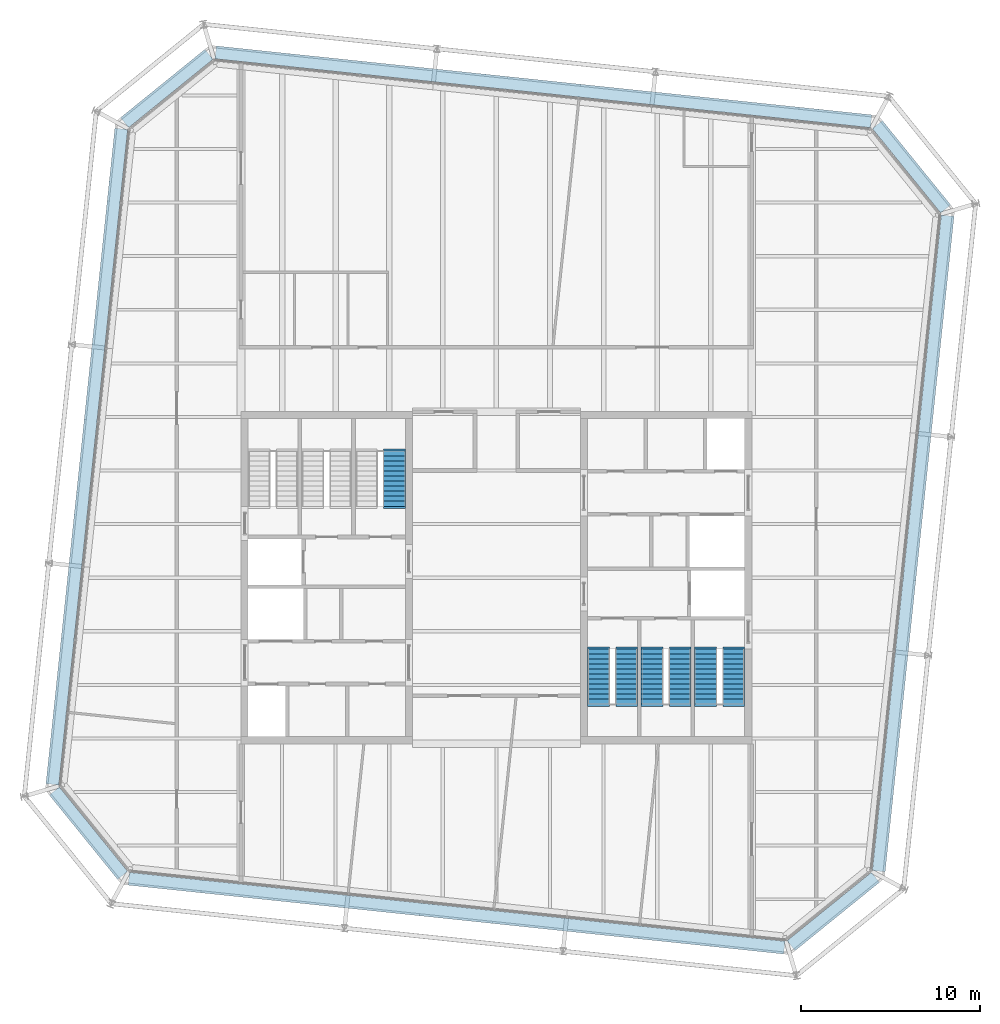
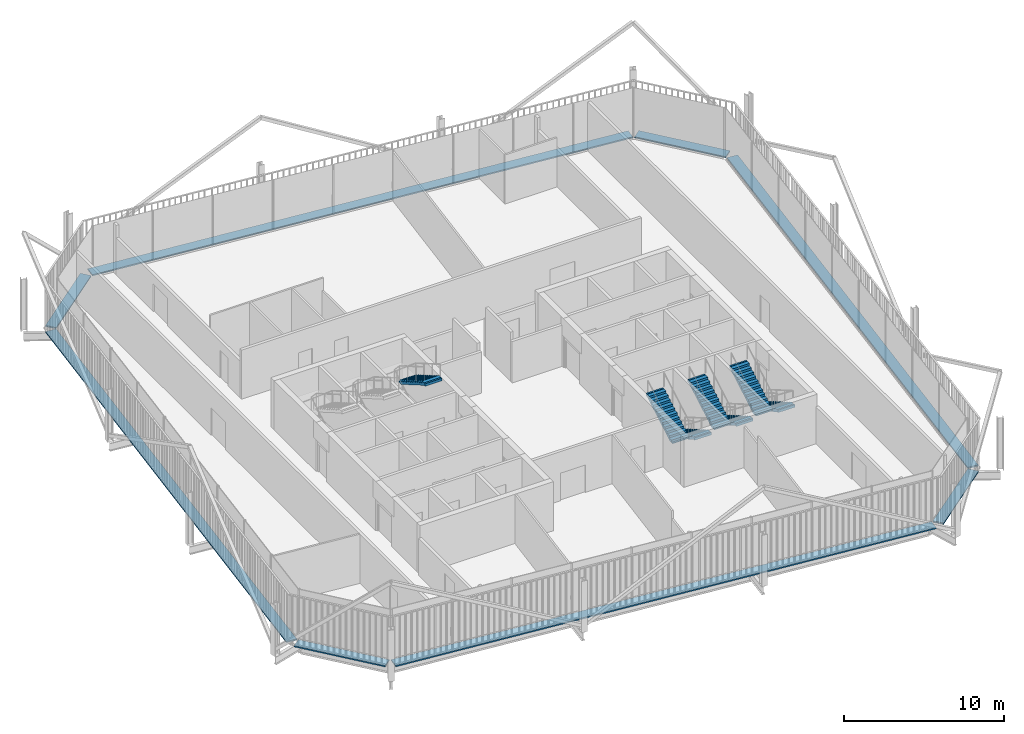
# One storey, part 20 of 21: 8 discrete accessories, 7 stair flights, 4 elements without a shape of their own.
"""IFC4 building model written with IfcOpenShell, lengths in metres."""

import ifcopenshell
import ifcopenshell.guid

model = None  # the IFC model being written
_history = None  # IfcOwnerHistory: only IFC2X3 demands one
_inside = {}  # id of a spatial element -> (the spatial element, [elements in it])
_under = {}  # id of a project, library or spatial element -> (it, [spatial elements below it])
_declared = {}  # id of a project -> (the project, [libraries it declares])
_typed = {}  # id of a type object -> (the type object, [elements of that type])
_made_of = {}  # id of a material, layer set ... -> (it, [elements and type objects made of it])


def new_model(schema):
    """Start an empty IFC model of exactly this schema.

    Asked for "IFC4X3", IfcOpenShell would pick the latest addendum, in which some entities
    have other attributes; the version numbers below select the first issue.
    IFC2X3 requires an IfcOwnerHistory on every rooted entity: one is made here for all.
    """
    global model, _history
    if schema == "IFC4X3":
        model = ifcopenshell.file(schema_version=(4, 3, 0, 0))
    else:
        model = ifcopenshell.file(schema=schema)
    _inside.clear()
    _under.clear()
    _declared.clear()
    _typed.clear()
    _made_of.clear()
    _history = None
    if model.schema == "IFC2X3":
        org = make("IfcOrganization", Name="unknown")
        user = make(
            "IfcPersonAndOrganization",
            ThePerson=make("IfcPerson", FamilyName="unknown"),
            TheOrganization=org,
        )
        app = make(
            "IfcApplication",
            ApplicationDeveloper=org,
            Version="unknown",
            ApplicationFullName="unknown",
            ApplicationIdentifier="unknown",
        )
        _history = make(
            "IfcOwnerHistory",
            OwningUser=user,
            OwningApplication=app,
            ChangeAction="ADDED",
            CreationDate=0,
        )
    return model


def make(cls, **values):
    """One entity of the class cls with the attributes given. An attribute that is None is left unset."""
    return model.create_entity(
        cls, **{name: value for name, value in values.items() if value is not None}
    )


def rooted(cls, **values):
    """An entity with a GlobalId (a new one), such as an element, a storey or a relation."""
    return make(cls, GlobalId=ifcopenshell.guid.new(), OwnerHistory=_history, **values)


def si_unit(unit_type, name, prefix=None):
    """IfcSIUnit, for example si_unit("LENGTHUNIT", "METRE", prefix="MILLI")."""
    return make("IfcSIUnit", UnitType=unit_type, Prefix=prefix, Name=name)


def assignment(units):
    """IfcUnitAssignment: the units of a project."""
    return None if units is None else make("IfcUnitAssignment", Units=units)


def point(xyz):
    """IfcCartesianPoint."""
    return None if xyz is None else make("IfcCartesianPoint", Coordinates=xyz)


def direction(xyz):
    """IfcDirection."""
    return None if xyz is None else make("IfcDirection", DirectionRatios=xyz)


def frame(location, z_axis=None, x_axis=None):
    """IfcAxis2Placement3D, a coordinate frame: its origin and axes. An axis left out is left unset."""
    return make(
        "IfcAxis2Placement3D",
        Location=point(location),
        Axis=direction(z_axis),
        RefDirection=direction(x_axis),
    )


def frame_2d(location, x_axis=None):
    """IfcAxis2Placement2D, a coordinate frame in the plane: its origin and x axis."""
    return make(
        "IfcAxis2Placement2D", Location=point(location), RefDirection=direction(x_axis)
    )


def origin():
    """The frame at (0, 0, 0) with its axes left unset."""
    return frame((0.0, 0.0, 0.0))


def origin_2d():
    """The frame at (0, 0) in the plane with its x axis left unset."""
    return frame_2d((0.0, 0.0))


def place(relative_to, where):
    """IfcLocalPlacement: puts the frame where relative to a parent placement (None: the world)."""
    return make(
        "IfcLocalPlacement", PlacementRelTo=relative_to, RelativePlacement=where
    )


def context(
    kind, dimensions, precision=None, world=None, true_north=None, identifier=None
):
    """IfcGeometricRepresentationContext, for example the 3D "Model" context."""
    return make(
        "IfcGeometricRepresentationContext",
        ContextIdentifier=identifier,
        ContextType=kind,
        CoordinateSpaceDimension=dimensions,
        Precision=precision,
        WorldCoordinateSystem=world,
        TrueNorth=true_north,
    )


def subcontext(parent, identifier, kind, view, scale=None):
    """IfcGeometricRepresentationSubContext, for example "Body" below "Model"."""
    return make(
        "IfcGeometricRepresentationSubContext",
        ContextIdentifier=identifier,
        ContextType=kind,
        ParentContext=parent,
        TargetScale=scale,
        TargetView=view,
    )


def project(units=None, contexts=None):
    """IfcProject with its units and contexts."""
    return rooted(
        "IfcProject",
        Name="project",
        RepresentationContexts=contexts,
        UnitsInContext=assignment(units),
    )


def spatial(cls, under=None, at=None, **own):
    """A site, building, storey or space (cls), placed at a placement, below another one or the project."""
    s = rooted(cls, ObjectPlacement=at, **own)
    if under is not None:
        _under.setdefault(under.id(), (under, []))[1].append(s)
    return s


def polyline(points):
    """IfcPolyline through the points."""
    return make("IfcPolyline", Points=[point(p) for p in points])


def profile(cls, at=None, kind="AREA", **sizes):
    """A parametric profile (cls). Its sizes go by their IFC names, for example OverallWidth=200.0."""
    return make(cls, ProfileType=kind, Position=at, **sizes)


def rectangle(**sizes):
    """IfcRectangleProfileDef."""
    return profile("IfcRectangleProfileDef", **sizes)


def outline(outer, holes=None, kind="AREA"):
    """IfcArbitraryClosedProfileDef: a profile drawn as a closed curve; with holes, ...WithVoids."""
    if holes is None:
        return make("IfcArbitraryClosedProfileDef", ProfileType=kind, OuterCurve=outer)
    return make(
        "IfcArbitraryProfileDefWithVoids",
        ProfileType=kind,
        OuterCurve=outer,
        InnerCurves=holes,
    )


def extrude(swept, where, along, depth):
    """IfcExtrudedAreaSolid: the profile swept, set in the frame where, extruded along a direction by depth."""
    return make(
        "IfcExtrudedAreaSolid",
        SweptArea=swept,
        Position=where,
        ExtrudedDirection=direction(along),
        Depth=depth,
    )


def shape(context_of_items, identifier, shape_type, items):
    """IfcShapeRepresentation: the items that make up one representation, for example the "Body"."""
    return make(
        "IfcShapeRepresentation",
        ContextOfItems=context_of_items,
        RepresentationIdentifier=identifier,
        RepresentationType=shape_type,
        Items=items,
    )


def material(Name=None, Category=None):
    """IfcMaterial."""
    return make("IfcMaterial", Name=Name, Category=Category)


def made_of(thing, what):
    """Note that an element or type object is made of a material, layer set ...; save() writes the relation."""
    if what is not None:
        _made_of.setdefault(what.id(), (what, []))[1].append(thing)
    return thing


def type_object(cls, material=None, **own):
    """A type object (cls), such as IfcWallType, which elements share."""
    return made_of(rooted(cls, **own), material)


def element(
    cls,
    number,
    at=None,
    inside=None,
    cuts=None,
    type_object=None,
    material=None,
    context=None,
    identifier="Body",
    shape_type=None,
    held_by="IfcProductDefinitionShape",
    body=None,
    shapes=None,
    **own,
):
    """One element of the class cls, such as IfcWall. Its Tag is "e" and its number.

    at: its placement. inside: the storey or other place that contains it. cuts: it is an
    opening in that element (IfcRelVoidsElement). A single representation is given by context,
    identifier, shape_type and body (its items); several are given by shapes. held_by: the class
    of the entity that holds the representations. save() writes the other relations.
    """
    e = rooted(cls, Tag="e%d" % number, ObjectPlacement=at, **own)
    if body is not None:
        shapes = [shape(context, identifier, shape_type, body)]
    if shapes is not None:
        e.Representation = make(held_by, Representations=shapes)
    if inside is not None:
        _inside.setdefault(inside.id(), (inside, []))[1].append(e)
    if cuts is not None:
        rooted(
            "IfcRelVoidsElement", RelatingBuildingElement=cuts, RelatedOpeningElement=e
        )
    if type_object is not None:
        _typed.setdefault(type_object.id(), (type_object, []))[1].append(e)
    return made_of(e, material)


def aggregate(whole, parts):
    """IfcRelAggregates: a whole, such as a stair, and the parts it consists of."""
    return rooted("IfcRelAggregates", RelatingObject=whole, RelatedObjects=parts)


def save(model, path):
    """Write the relations noted so far, then the file.

    IfcRelAggregates (storeys below a building ...), IfcRelContainedInSpatialStructure (elements
    in a storey), IfcRelDefinesByType, IfcRelAssociatesMaterial and IfcRelDeclares: one each for
    every whole, place, type object, material and project.
    """
    for whole, parts in _under.values():
        aggregate(whole, parts)
    for where, things in _inside.values():
        rooted(
            "IfcRelContainedInSpatialStructure",
            RelatedElements=things,
            RelatingStructure=where,
        )
    for kind, things in _typed.values():
        rooted("IfcRelDefinesByType", RelatedObjects=things, RelatingType=kind)
    for what, things in _made_of.values():
        rooted("IfcRelAssociatesMaterial", RelatedObjects=things, RelatingMaterial=what)
    for by, libraries in _declared.values():
        rooted("IfcRelDeclares", RelatingContext=by, RelatedDefinitions=libraries)
    model.write(path)


model = new_model("IFC4")

# Units and contexts
model_context = context("Model", 3, precision=1e-05, world=origin(), true_north=direction((0.0, 1.0)))
body_context = subcontext(model_context, "Body", "Model", "MODEL_VIEW")
ifc_project = project(units=[si_unit("LENGTHUNIT", "METRE"), si_unit("AREAUNIT", "SQUARE_METRE"), si_unit("VOLUMEUNIT", "CUBIC_METRE"), si_unit("PLANEANGLEUNIT", "RADIAN"), si_unit("MASSUNIT", "GRAM", prefix="KILO")], contexts=[model_context])

# Site, building, storey
site_placement = place(None, origin())
site = spatial("IfcSite", under=ifc_project, at=site_placement, CompositionType="ELEMENT")
building_placement = place(site_placement, origin())
building = spatial("IfcBuilding", under=site, at=building_placement, Name="Millrace Tower", CompositionType="ELEMENT")
storey_placement = place(building_placement, frame((0.0, 0.0, 291.60009765625)))
storey = spatial("IfcBuildingStorey", under=building, at=storey_placement, Name="L67", CompositionType="ELEMENT", Elevation=291.60009765625)

# Stair, stair flight
ifc_material_1 = material(Name="Concrete C35", Category="concrete")
stair_type = type_object("IfcStairType", Name="Exit stair", PredefinedType="HALF_TURN_STAIR", material=ifc_material_1)
placement = place(storey_placement, origin())
stair_1 = element("IfcStair", 1, at=placement, inside=storey, type_object=stair_type, Name="Stair 3 W L67", PredefinedType="HALF_TURN_STAIR")
ifc_material_2 = material(Name="Concrete C35", Category="concrete")
stair_flight_type = type_object("IfcStairFlightType", Name="Exit stair flight", PredefinedType="STRAIGHT", material=ifc_material_2)
stair_flight_1_placement = place(storey_placement, frame((-5.7099609375, 7.080078125, 1.949951171875), z_axis=(0.0, 0.0, 1.0), x_axis=(0.0, -1.0, 0.0)))
stair_flight_1 = element("IfcStairFlight", 2, at=stair_flight_1_placement, type_object=stair_flight_type, Name="ST12 flight 2", NumberOfRisers=12, NumberOfTreads=11, PredefinedType="STRAIGHT", RiserHeight=0.1625, TreadLength=0.28, context=body_context, shape_type="SweptSolid", body=[
    extrude(outline(polyline([(-0.1201171875, -0.0400390625), (-0.1201171875, 0.0), (0.0, 0.0), (0.0, 0.16259765625), (0.280029296875, 0.16259765625), (0.280029296875, 0.324951171875), (0.56005859375, 0.324951171875), (0.56005859375, 0.487548828125), (0.840087890625, 0.487548828125), (0.840087890625, 0.64990234375), (1.1201171875, 0.64990234375), (1.1201171875, 0.8125), (1.39990234375, 0.8125), (1.39990234375, 0.97509765625), (1.679931640625, 0.97509765625), (1.679931640625, 1.137451171875), (1.9599609375, 1.137451171875), (1.9599609375, 1.300048828125), (2.239990234375, 1.300048828125), (2.239990234375, 1.46240234375), (2.52001953125, 1.46240234375), (2.52001953125, 1.625), (2.800048828125, 1.625), (2.800048828125, 1.78759765625), (3.080078125, 1.78759765625), (3.080078125, 1.8076171875), (3.199951171875, 1.8076171875), (3.199951171875, 1.6142578125), (3.080078125, 1.6142578125), (0.298583984375, 0.0), (0.298583984375, -0.0400390625), (-0.1201171875, -0.0400390625)])), frame((0.0, 0.60986328125, 0.0), z_axis=(0.0, -1.0, 0.0), x_axis=(1.0, 0.0, 0.0)), (0.0, 0.0, 1.0), 1.219970703125),
])
aggregate(stair_1, [stair_flight_1])

# Stair, stair flights
stair_2 = element("IfcStair", 3, at=placement, inside=storey, type_object=stair_type, Name="Stair 1 E L67", PredefinedType="HALF_TURN_STAIR")
stair_flight_2_placement = place(storey_placement, frame((13.2900390625, -4.0, 0.0), z_axis=(0.0, 0.0, 1.0), x_axis=(0.0, -1.0, 0.0)))
stair_flight_2 = element("IfcStairFlight", 4, at=stair_flight_2_placement, type_object=stair_flight_type, Name="ST12 flight 1", NumberOfRisers=12, NumberOfTreads=11, PredefinedType="STRAIGHT", RiserHeight=0.1625, TreadLength=0.28, context=body_context, shape_type="SweptSolid", body=[
    extrude(outline(polyline([(-0.1201171875, -0.0400390625), (-0.1201171875, 0.0), (0.0, 0.0), (0.0, 0.16259765625), (0.280029296875, 0.16259765625), (0.280029296875, 0.324951171875), (0.56005859375, 0.324951171875), (0.56005859375, 0.487548828125), (0.840087890625, 0.487548828125), (0.840087890625, 0.64990234375), (1.1201171875, 0.64990234375), (1.1201171875, 0.8125), (1.39990234375, 0.8125), (1.39990234375, 0.97509765625), (1.679931640625, 0.97509765625), (1.679931640625, 1.137451171875), (1.9599609375, 1.137451171875), (1.9599609375, 1.300048828125), (2.239990234375, 1.300048828125), (2.239990234375, 1.46240234375), (2.52001953125, 1.46240234375), (2.52001953125, 1.625), (2.800048828125, 1.625), (2.800048828125, 1.78759765625), (3.080078125, 1.78759765625), (3.080078125, 1.8076171875), (3.199951171875, 1.8076171875), (3.199951171875, 1.6142578125), (3.080078125, 1.6142578125), (0.298583984375, 0.0), (0.298583984375, -0.0400390625), (-0.1201171875, -0.0400390625)])), frame((0.0, 0.60986328125, 0.0), z_axis=(0.0, -1.0, 0.0), x_axis=(1.0, 0.0, 0.0)), (0.0, 0.0, 1.0), 1.219970703125),
])
stair_flight_3_placement = place(storey_placement, frame((11.7099609375, -7.080078125, 1.949951171875), z_axis=(0.0, 0.0, 1.0), x_axis=(0.0, 1.0, 0.0)))
stair_flight_3 = element("IfcStairFlight", 5, at=stair_flight_3_placement, type_object=stair_flight_type, Name="ST12 flight 2", NumberOfRisers=12, NumberOfTreads=11, PredefinedType="STRAIGHT", RiserHeight=0.1625, TreadLength=0.28, context=body_context, shape_type="SweptSolid", body=[
    extrude(outline(polyline([(-0.1201171875, -0.0400390625), (-0.1201171875, 0.0), (0.0, 0.0), (0.0, 0.16259765625), (0.280029296875, 0.16259765625), (0.280029296875, 0.324951171875), (0.56005859375, 0.324951171875), (0.56005859375, 0.487548828125), (0.840087890625, 0.487548828125), (0.840087890625, 0.64990234375), (1.1201171875, 0.64990234375), (1.1201171875, 0.8125), (1.39990234375, 0.8125), (1.39990234375, 0.97509765625), (1.679931640625, 0.97509765625), (1.679931640625, 1.137451171875), (1.9599609375, 1.137451171875), (1.9599609375, 1.300048828125), (2.239990234375, 1.300048828125), (2.239990234375, 1.46240234375), (2.52001953125, 1.46240234375), (2.52001953125, 1.625), (2.800048828125, 1.625), (2.800048828125, 1.78759765625), (3.080078125, 1.78759765625), (3.080078125, 1.8076171875), (3.199951171875, 1.8076171875), (3.199951171875, 1.6142578125), (3.080078125, 1.6142578125), (0.298583984375, 0.0), (0.298583984375, -0.0400390625), (-0.1201171875, -0.0400390625)])), frame((0.0, 0.60986328125, 0.0), z_axis=(0.0, -1.0, 0.0), x_axis=(1.0, 0.0, 0.0)), (0.0, 0.0, 1.0), 1.219970703125),
])
aggregate(stair_2, [stair_flight_2, stair_flight_3])

stair_3 = element("IfcStair", 6, at=placement, inside=storey, type_object=stair_type, Name="Stair 2 E L67", PredefinedType="HALF_TURN_STAIR")
stair_flight_4_placement = place(storey_placement, frame((10.2900390625, -4.0, 0.0), z_axis=(0.0, 0.0, 1.0), x_axis=(0.0, -1.0, 0.0)))
stair_flight_4 = element("IfcStairFlight", 7, at=stair_flight_4_placement, type_object=stair_flight_type, Name="ST12 flight 1", NumberOfRisers=12, NumberOfTreads=11, PredefinedType="STRAIGHT", RiserHeight=0.1625, TreadLength=0.28, context=body_context, shape_type="SweptSolid", body=[
    extrude(outline(polyline([(-0.1201171875, -0.0400390625), (-0.1201171875, 0.0), (0.0, 0.0), (0.0, 0.16259765625), (0.280029296875, 0.16259765625), (0.280029296875, 0.324951171875), (0.56005859375, 0.324951171875), (0.56005859375, 0.487548828125), (0.840087890625, 0.487548828125), (0.840087890625, 0.64990234375), (1.1201171875, 0.64990234375), (1.1201171875, 0.8125), (1.39990234375, 0.8125), (1.39990234375, 0.97509765625), (1.679931640625, 0.97509765625), (1.679931640625, 1.137451171875), (1.9599609375, 1.137451171875), (1.9599609375, 1.300048828125), (2.239990234375, 1.300048828125), (2.239990234375, 1.46240234375), (2.52001953125, 1.46240234375), (2.52001953125, 1.625), (2.800048828125, 1.625), (2.800048828125, 1.78759765625), (3.080078125, 1.78759765625), (3.080078125, 1.8076171875), (3.199951171875, 1.8076171875), (3.199951171875, 1.6142578125), (3.080078125, 1.6142578125), (0.298583984375, 0.0), (0.298583984375, -0.0400390625), (-0.1201171875, -0.0400390625)])), frame((0.0, 0.60986328125, 0.0), z_axis=(0.0, -1.0, 0.0), x_axis=(1.0, 0.0, 0.0)), (0.0, 0.0, 1.0), 1.219970703125),
])
stair_flight_5_placement = place(storey_placement, frame((8.7099609375, -7.080078125, 1.949951171875), z_axis=(0.0, 0.0, 1.0), x_axis=(0.0, 1.0, 0.0)))
stair_flight_5 = element("IfcStairFlight", 8, at=stair_flight_5_placement, type_object=stair_flight_type, Name="ST12 flight 2", NumberOfRisers=12, NumberOfTreads=11, PredefinedType="STRAIGHT", RiserHeight=0.1625, TreadLength=0.28, context=body_context, shape_type="SweptSolid", body=[
    extrude(outline(polyline([(-0.1201171875, -0.0400390625), (-0.1201171875, 0.0), (0.0, 0.0), (0.0, 0.16259765625), (0.280029296875, 0.16259765625), (0.280029296875, 0.324951171875), (0.56005859375, 0.324951171875), (0.56005859375, 0.487548828125), (0.840087890625, 0.487548828125), (0.840087890625, 0.64990234375), (1.1201171875, 0.64990234375), (1.1201171875, 0.8125), (1.39990234375, 0.8125), (1.39990234375, 0.97509765625), (1.679931640625, 0.97509765625), (1.679931640625, 1.137451171875), (1.9599609375, 1.137451171875), (1.9599609375, 1.300048828125), (2.239990234375, 1.300048828125), (2.239990234375, 1.46240234375), (2.52001953125, 1.46240234375), (2.52001953125, 1.625), (2.800048828125, 1.625), (2.800048828125, 1.78759765625), (3.080078125, 1.78759765625), (3.080078125, 1.8076171875), (3.199951171875, 1.8076171875), (3.199951171875, 1.6142578125), (3.080078125, 1.6142578125), (0.298583984375, 0.0), (0.298583984375, -0.0400390625), (-0.1201171875, -0.0400390625)])), frame((0.0, 0.60986328125, 0.0), z_axis=(0.0, -1.0, 0.0), x_axis=(1.0, 0.0, 0.0)), (0.0, 0.0, 1.0), 1.219970703125),
])
aggregate(stair_3, [stair_flight_4, stair_flight_5])

stair_4 = element("IfcStair", 9, at=placement, inside=storey, type_object=stair_type, Name="Stair 3 E L67", PredefinedType="HALF_TURN_STAIR")
stair_flight_6_placement = place(storey_placement, frame((7.2900390625, -4.0, 0.0), z_axis=(0.0, 0.0, 1.0), x_axis=(0.0, -1.0, 0.0)))
stair_flight_6 = element("IfcStairFlight", 10, at=stair_flight_6_placement, type_object=stair_flight_type, Name="ST12 flight 1", NumberOfRisers=12, NumberOfTreads=11, PredefinedType="STRAIGHT", RiserHeight=0.1625, TreadLength=0.28, context=body_context, shape_type="SweptSolid", body=[
    extrude(outline(polyline([(-0.1201171875, -0.0400390625), (-0.1201171875, 0.0), (0.0, 0.0), (0.0, 0.16259765625), (0.280029296875, 0.16259765625), (0.280029296875, 0.324951171875), (0.56005859375, 0.324951171875), (0.56005859375, 0.487548828125), (0.840087890625, 0.487548828125), (0.840087890625, 0.64990234375), (1.1201171875, 0.64990234375), (1.1201171875, 0.8125), (1.39990234375, 0.8125), (1.39990234375, 0.97509765625), (1.679931640625, 0.97509765625), (1.679931640625, 1.137451171875), (1.9599609375, 1.137451171875), (1.9599609375, 1.300048828125), (2.239990234375, 1.300048828125), (2.239990234375, 1.46240234375), (2.52001953125, 1.46240234375), (2.52001953125, 1.625), (2.800048828125, 1.625), (2.800048828125, 1.78759765625), (3.080078125, 1.78759765625), (3.080078125, 1.8076171875), (3.199951171875, 1.8076171875), (3.199951171875, 1.6142578125), (3.080078125, 1.6142578125), (0.298583984375, 0.0), (0.298583984375, -0.0400390625), (-0.1201171875, -0.0400390625)])), frame((0.0, 0.60986328125, 0.0), z_axis=(0.0, -1.0, 0.0), x_axis=(1.0, 0.0, 0.0)), (0.0, 0.0, 1.0), 1.219970703125),
])
stair_flight_7_placement = place(storey_placement, frame((5.7099609375, -7.080078125, 1.949951171875), z_axis=(0.0, 0.0, 1.0), x_axis=(0.0, 1.0, 0.0)))
stair_flight_7 = element("IfcStairFlight", 11, at=stair_flight_7_placement, type_object=stair_flight_type, Name="ST12 flight 2", NumberOfRisers=12, NumberOfTreads=11, PredefinedType="STRAIGHT", RiserHeight=0.1625, TreadLength=0.28, context=body_context, shape_type="SweptSolid", body=[
    extrude(outline(polyline([(-0.1201171875, -0.0400390625), (-0.1201171875, 0.0), (0.0, 0.0), (0.0, 0.16259765625), (0.280029296875, 0.16259765625), (0.280029296875, 0.324951171875), (0.56005859375, 0.324951171875), (0.56005859375, 0.487548828125), (0.840087890625, 0.487548828125), (0.840087890625, 0.64990234375), (1.1201171875, 0.64990234375), (1.1201171875, 0.8125), (1.39990234375, 0.8125), (1.39990234375, 0.97509765625), (1.679931640625, 0.97509765625), (1.679931640625, 1.137451171875), (1.9599609375, 1.137451171875), (1.9599609375, 1.300048828125), (2.239990234375, 1.300048828125), (2.239990234375, 1.46240234375), (2.52001953125, 1.46240234375), (2.52001953125, 1.625), (2.800048828125, 1.625), (2.800048828125, 1.78759765625), (3.080078125, 1.78759765625), (3.080078125, 1.8076171875), (3.199951171875, 1.8076171875), (3.199951171875, 1.6142578125), (3.080078125, 1.6142578125), (0.298583984375, 0.0), (0.298583984375, -0.0400390625), (-0.1201171875, -0.0400390625)])), frame((0.0, 0.60986328125, 0.0), z_axis=(0.0, -1.0, 0.0), x_axis=(1.0, 0.0, 0.0)), (0.0, 0.0, 1.0), 1.219970703125),
])
aggregate(stair_4, [stair_flight_6, stair_flight_7])

# Discrete accessories
ifc_material_3 = material(Name="Stainless steel ASTM A240 type 316", Category="steel")
discrete_accessory_type = type_object("IfcDiscreteAccessoryType", Name="Thermally broken screen support rail", PredefinedType="BRACKET", material=ifc_material_3)
discrete_accessory_1_placement = place(storey_placement, frame((-22.836669921875, -14.304931640625, -0.000244140625), z_axis=(0.0, 0.0, 1.0), x_axis=(0.629320278945, -0.777146052237, 0.0)))
element("IfcDiscreteAccessory", 12, at=discrete_accessory_1_placement, inside=storey, type_object=discrete_accessory_type, Name="Thermally broken screen support rail E-F01 L67 1", PredefinedType="BRACKET", context=body_context, shape_type="SweptSolid", body=[
    extrude(rectangle(XDim=6.0810546875, YDim=0.719970703125, at=origin_2d()), origin(), (0.0, 0.0, 1.0), 0.10009765625),
])
discrete_accessory_2_placement = place(storey_placement, frame((-2.2314453125, -18.782470703125, -0.000244140625), z_axis=(0.0, 0.0, 1.0), x_axis=(0.994521896217, -0.104528455196, 0.0)))
element("IfcDiscreteAccessory", 13, at=discrete_accessory_2_placement, inside=storey, type_object=discrete_accessory_type, Name="Thermally broken screen support rail E-F02 L67 1", PredefinedType="BRACKET", context=body_context, shape_type="SweptSolid", body=[
    extrude(rectangle(XDim=36.89990234375, YDim=0.719970703125, at=origin_2d()), origin(), (0.0, 0.0, 1.0), 0.10009765625),
])
discrete_accessory_3_placement = place(storey_placement, frame((18.854736328125, -18.686767578125, -0.000244140625), z_axis=(0.0, 0.0, 1.0), x_axis=(0.777146052237, 0.629320278945, 0.0)))
element("IfcDiscreteAccessory", 14, at=discrete_accessory_3_placement, inside=storey, type_object=discrete_accessory_type, Name="Thermally broken screen support rail E-F03 L67 1", PredefinedType="BRACKET", context=body_context, shape_type="SweptSolid", body=[
    extrude(rectangle(XDim=6.0810546875, YDim=0.719970703125, at=origin_2d()), origin(), (0.0, 0.0, 1.0), 0.10009765625),
])
discrete_accessory_4_placement = place(storey_placement, frame((23.33251953125, 1.918701171875, -0.000244140625), z_axis=(0.0, 0.0, 1.0), x_axis=(0.104528455196, 0.994521896217, 0.0)))
element("IfcDiscreteAccessory", 15, at=discrete_accessory_4_placement, inside=storey, type_object=discrete_accessory_type, Name="Thermally broken screen support rail E-F04 L67 1", PredefinedType="BRACKET", context=body_context, shape_type="SweptSolid", body=[
    extrude(rectangle(XDim=36.89990234375, YDim=0.719970703125, at=origin_2d()), origin(), (0.0, 0.0, 1.0), 0.10009765625),
])
discrete_accessory_5_placement = place(storey_placement, frame((23.23681640625, 23.0048828125, -0.000244140625), z_axis=(0.0, 0.0, 1.0), x_axis=(-0.629320278945, 0.777146052237, 0.0)))
element("IfcDiscreteAccessory", 16, at=discrete_accessory_5_placement, inside=storey, type_object=discrete_accessory_type, Name="Thermally broken screen support rail E-F05 L67 1", PredefinedType="BRACKET", context=body_context, shape_type="SweptSolid", body=[
    extrude(rectangle(XDim=6.0810546875, YDim=0.719970703125, at=origin_2d()), origin(), (0.0, 0.0, 1.0), 0.10009765625),
])
discrete_accessory_6_placement = place(storey_placement, frame((2.63134765625, 27.482666015625, -0.000244140625), z_axis=(0.0, 0.0, 1.0), x_axis=(-0.994521896217, 0.104528455196, 0.0)))
element("IfcDiscreteAccessory", 17, at=discrete_accessory_6_placement, inside=storey, type_object=discrete_accessory_type, Name="Thermally broken screen support rail E-F06 L67 1", PredefinedType="BRACKET", context=body_context, shape_type="SweptSolid", body=[
    extrude(rectangle(XDim=36.89990234375, YDim=0.719970703125, at=origin_2d()), origin(), (0.0, 0.0, 1.0), 0.10009765625),
])
discrete_accessory_7_placement = place(storey_placement, frame((-18.454833984375, 27.38671875, -0.000244140625), z_axis=(0.0, 0.0, 1.0), x_axis=(-0.777146052237, -0.629320278945, 0.0)))
element("IfcDiscreteAccessory", 18, at=discrete_accessory_7_placement, inside=storey, type_object=discrete_accessory_type, Name="Thermally broken screen support rail E-F07 L67 1", PredefinedType="BRACKET", context=body_context, shape_type="SweptSolid", body=[
    extrude(rectangle(XDim=6.0810546875, YDim=0.719970703125, at=origin_2d()), origin(), (0.0, 0.0, 1.0), 0.10009765625),
])
discrete_accessory_8_placement = place(storey_placement, frame((-22.9326171875, 6.78125, -0.000244140625), z_axis=(0.0, 0.0, 1.0), x_axis=(-0.104528455196, -0.994521896217, 0.0)))
element("IfcDiscreteAccessory", 19, at=discrete_accessory_8_placement, inside=storey, type_object=discrete_accessory_type, Name="Thermally broken screen support rail E-F08 L67 1", PredefinedType="BRACKET", context=body_context, shape_type="SweptSolid", body=[
    extrude(rectangle(XDim=36.89990234375, YDim=0.719970703125, at=origin_2d()), origin(), (0.0, 0.0, 1.0), 0.10009765625),
])

save(model, "model.ifc")
